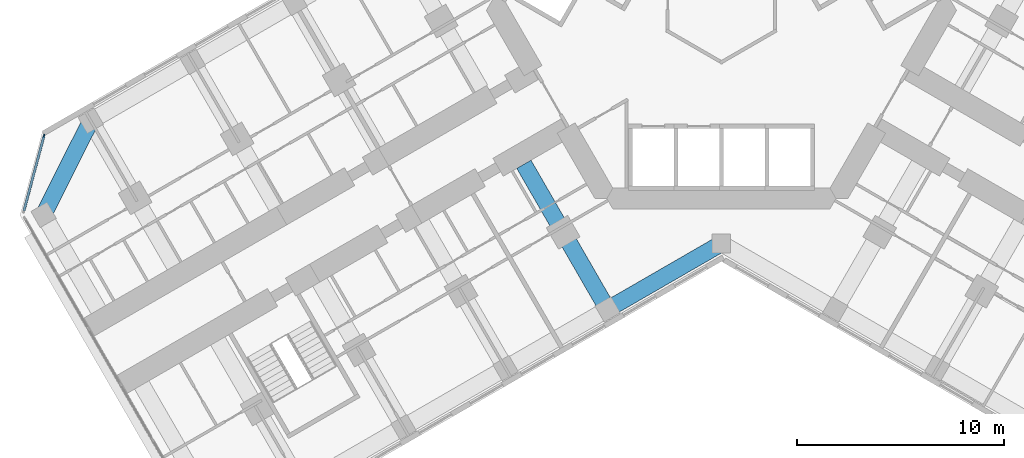
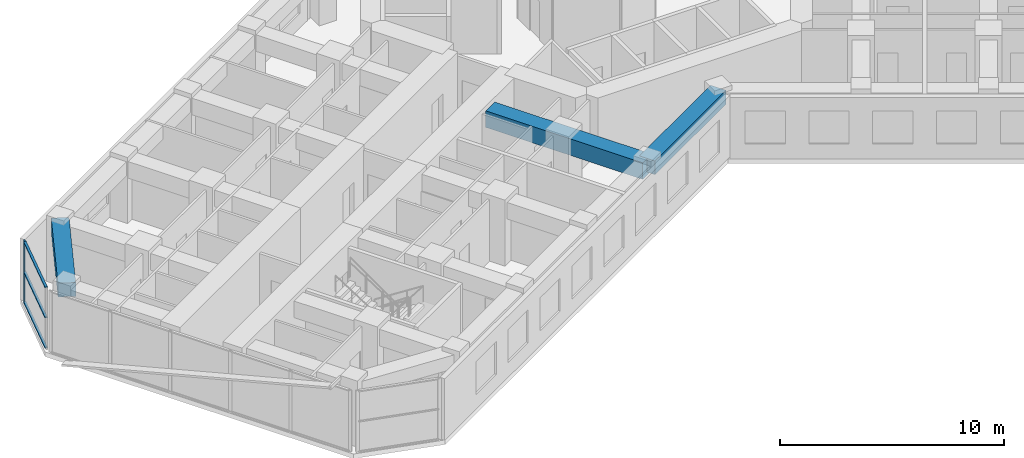
# One storey, part 3 of 21: 4 members, 3 beams, 1 element without a shape of its own.
"""IFC4 building model written with IfcOpenShell, lengths in metres."""

from ifc_helpers import new_model, si_unit, direction, frame, origin, origin_2d, place, context, subcontext, project, spatial, rectangle, extrude, material, material_profile, profile_set, type_object, element, aggregate, save


model = new_model("IFC4")

# Units and contexts
model_context = context("Model", 3, precision=1e-05, world=origin(), true_north=direction((0.0, 1.0)))
body_context = subcontext(model_context, "Body", "Model", "MODEL_VIEW")
ifc_project = project(units=[si_unit("LENGTHUNIT", "METRE"), si_unit("AREAUNIT", "SQUARE_METRE"), si_unit("VOLUMEUNIT", "CUBIC_METRE"), si_unit("PLANEANGLEUNIT", "RADIAN"), si_unit("MASSUNIT", "GRAM", prefix="KILO")], contexts=[model_context])

# Site, building, storey
site_placement = place(None, origin())
site = spatial("IfcSite", under=ifc_project, at=site_placement, CompositionType="ELEMENT")
building_placement = place(site_placement, origin())
building = spatial("IfcBuilding", under=site, at=building_placement, Name="Kosmar Iwan School Tower", CompositionType="ELEMENT")
storey_placement = place(building_placement, frame((0.0, 0.0, 84.39990234375)))
storey = spatial("IfcBuildingStorey", under=building, at=storey_placement, Name="L20", CompositionType="ELEMENT", Elevation=84.39990234375)

# Curtain wall, member
ifc_material_1 = material(Name="Dark glass in black aluminium frame", Category="aluminium")
curtain_wall_type = type_object("IfcCurtainWallType", Name="Chamfer curtain wall dark glass", PredefinedType="USERDEFINED", material=ifc_material_1)
curtain_wall_placement = place(storey_placement, origin())
curtain_wall = element("IfcCurtainWall", 1, at=curtain_wall_placement, inside=storey, type_object=curtain_wall_type, Name="Curtain wall L20-F12", ObjectType="FACETED CURTAIN WALL", PredefinedType="USERDEFINED")
ifc_material_2 = material(Name="Black anodised aluminium", Category="aluminium")
ifc_material_profile_1 = material_profile(ifc_material_2, rectangle(XDim=0.06005859375, YDim=0.159912109375, at=origin_2d()), Name="MULLION 60x160")
ifc_profile_set_1 = profile_set([ifc_material_profile_1], Name="Black anodised aluminium")
member_type_1 = type_object("IfcMemberType", Name="Mullion 60x160", PredefinedType="MULLION", material=ifc_profile_set_1)
member_1_placement = place(storey_placement, frame((-32.78076171875, -6.5732421875, 0.0), z_axis=(0.0, 0.0, 1.0), x_axis=(0.965925875495, -0.258818861462, 0.0)))
member_1 = element("IfcMember", 2, at=member_1_placement, type_object=member_type_1, Name="CW2 mullion 1", PredefinedType="MULLION", context=body_context, shape_type="SweptSolid", body=[
    extrude(rectangle(XDim=0.06005859375, YDim=0.159912109375, at=origin_2d()), origin(), (0.0, 0.0, 1.0), 3.35009765625),
])

# Beams
ifc_material_3 = material(Name="Concrete C50/60", Category="concrete")
ifc_material_profile_2 = material_profile(ifc_material_3, rectangle(XDim=0.800048828125, YDim=0.75, at=origin_2d()), Name="RC 800x750")
ifc_profile_set_2 = profile_set([ifc_material_profile_2], Name="Concrete C50/60")
beam_type_1 = type_object("IfcBeamType", Name="RC edge beam 800x750", PredefinedType="BEAM", material=ifc_profile_set_2)
beam_1_placement = place(storey_placement, frame((0.0, -11.77783203125, 2.97509765625), z_axis=(-0.866014293216, -0.500019243575, 0.0), x_axis=(0.500019243575, -0.866014293216, 0.0)))
element("IfcBeam", 3, at=beam_1_placement, inside=storey, type_object=beam_type_1, Name="Edge beam BL1", PredefinedType="BEAM", context=body_context, shape_type="SweptSolid", body=[
    extrude(rectangle(XDim=0.800048828125, YDim=0.75, at=origin_2d()), origin(), (0.0, 0.0, 1.0), 6.361083984375),
])
ifc_material_4 = material(Name="Concrete C50/60", Category="concrete")
ifc_material_profile_3 = material_profile(ifc_material_4, rectangle(XDim=0.800048828125, YDim=0.75, at=origin_2d()), Name="RC 800x750")
ifc_profile_set_3 = profile_set([ifc_material_profile_3], Name="Concrete C50/60")
beam_type_2 = type_object("IfcBeamType", Name="RC tip beam 800x750", PredefinedType="BEAM", material=ifc_profile_set_3)
beam_2_placement = place(storey_placement, frame((-30.517822265625, -5.841552734375, 2.97509765625), z_axis=(-0.44809604203, -0.893985423325, 0.0), x_axis=(0.893985423325, -0.44809604203, 0.0)))
element("IfcBeam", 4, at=beam_2_placement, inside=storey, type_object=beam_type_2, Name="Tip beam BR", PredefinedType="BEAM", context=body_context, shape_type="SweptSolid", body=[
    extrude(rectangle(XDim=0.800048828125, YDim=0.75, at=origin_2d()), origin(), (0.0, 0.0, 1.0), 5.08935546875),
])
ifc_material_5 = material(Name="Concrete C50/60", Category="concrete")
ifc_material_profile_4 = material_profile(ifc_material_5, rectangle(XDim=0.800048828125, YDim=0.89990234375, at=origin_2d()), Name="RC 800x900")
ifc_profile_set_4 = profile_set([ifc_material_profile_4], Name="Concrete C50/60")
beam_type_3 = type_object("IfcBeamType", Name="RC transverse beam 800x900", PredefinedType="BEAM", material=ifc_profile_set_4)
beam_3_placement = place(storey_placement, frame((-5.5087890625, -14.95849609375, 2.900146484375), z_axis=(-0.499999880539, 0.866025472755, 0.0), x_axis=(-0.866025472755, -0.499999880539, 0.0)))
element("IfcBeam", 5, at=beam_3_placement, inside=storey, type_object=beam_type_3, Name="Transverse beam BL1", PredefinedType="BEAM", context=body_context, shape_type="SweptSolid", body=[
    extrude(rectangle(XDim=0.800048828125, YDim=0.89990234375, at=origin_2d()), origin(), (0.0, 0.0, 1.0), 8.10009765625),
])

# Member
ifc_material_6 = material(Name="Black anodised aluminium", Category="aluminium")
ifc_material_profile_5 = material_profile(ifc_material_6, rectangle(XDim=0.1201171875, YDim=0.06005859375, at=origin_2d()), Name="TRANSOM 60x120")
ifc_profile_set_5 = profile_set([ifc_material_profile_5], Name="Black anodised aluminium")
member_type_2 = type_object("IfcMemberType", Name="Transom 60x120", PredefinedType="USERDEFINED", material=ifc_profile_set_5)
member_2_placement = place(storey_placement, frame((-32.788330078125, -6.602294921875, 0.030029296875), z_axis=(-0.258843273983, -0.965919333854, 0.0), x_axis=(0.965919333854, -0.258843273983, 0.0)))
member_2 = element("IfcMember", 6, at=member_2_placement, type_object=member_type_2, Name="CW2 transom 1.1", ObjectType="TRANSOM", PredefinedType="USERDEFINED", context=body_context, shape_type="SweptSolid", body=[
    extrude(rectangle(XDim=0.1201171875, YDim=0.06005859375, at=origin_2d()), origin(), (0.0, 0.0, 1.0), 3.718994140625),
])

member_3_placement = place(storey_placement, frame((-32.788330078125, -6.602294921875, 1.675048828125), z_axis=(-0.258843273983, -0.965919333854, 0.0), x_axis=(0.965919333854, -0.258843273983, 0.0)))
member_3 = element("IfcMember", 7, at=member_3_placement, type_object=member_type_2, Name="CW2 transom 1.2", ObjectType="TRANSOM", PredefinedType="USERDEFINED", context=body_context, shape_type="SweptSolid", body=[
    extrude(rectangle(XDim=0.1201171875, YDim=0.06005859375, at=origin_2d()), origin(), (0.0, 0.0, 1.0), 3.718994140625),
])

member_4_placement = place(storey_placement, frame((-32.788330078125, -6.602294921875, 3.320068359375), z_axis=(-0.258843273983, -0.965919333854, 0.0), x_axis=(0.965919333854, -0.258843273983, 0.0)))
member_4 = element("IfcMember", 8, at=member_4_placement, type_object=member_type_2, Name="CW2 transom 1.3", ObjectType="TRANSOM", PredefinedType="USERDEFINED", context=body_context, shape_type="SweptSolid", body=[
    extrude(rectangle(XDim=0.1201171875, YDim=0.06005859375, at=origin_2d()), origin(), (0.0, 0.0, 1.0), 3.718994140625),
])

aggregate(curtain_wall, [member_1, member_2, member_3, member_4])

save(model, "model.ifc")
